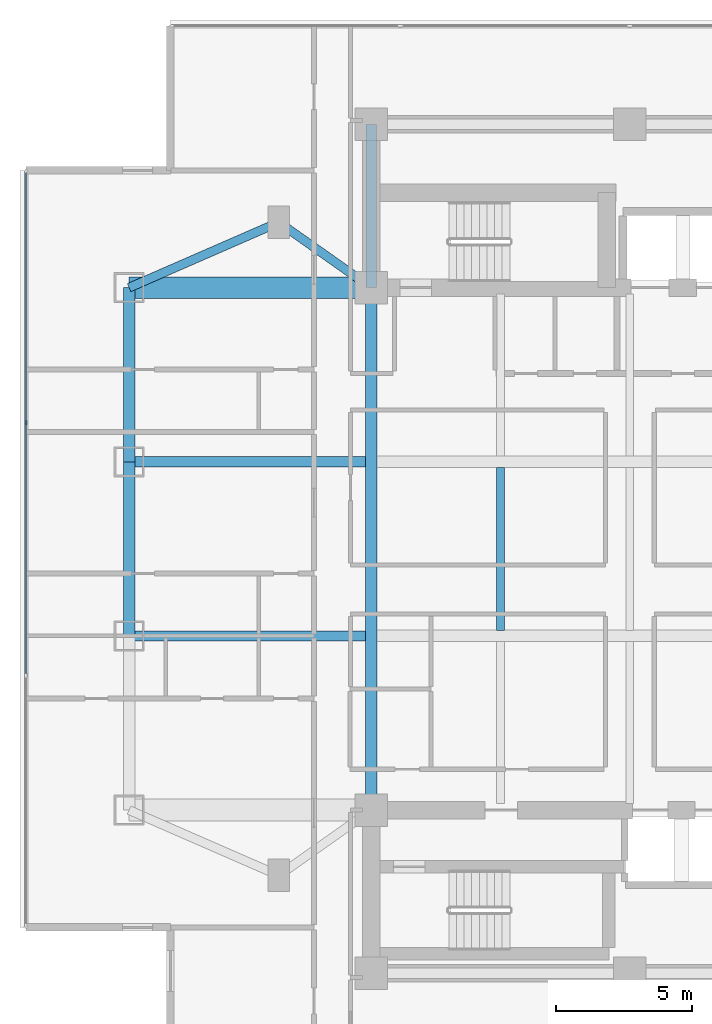
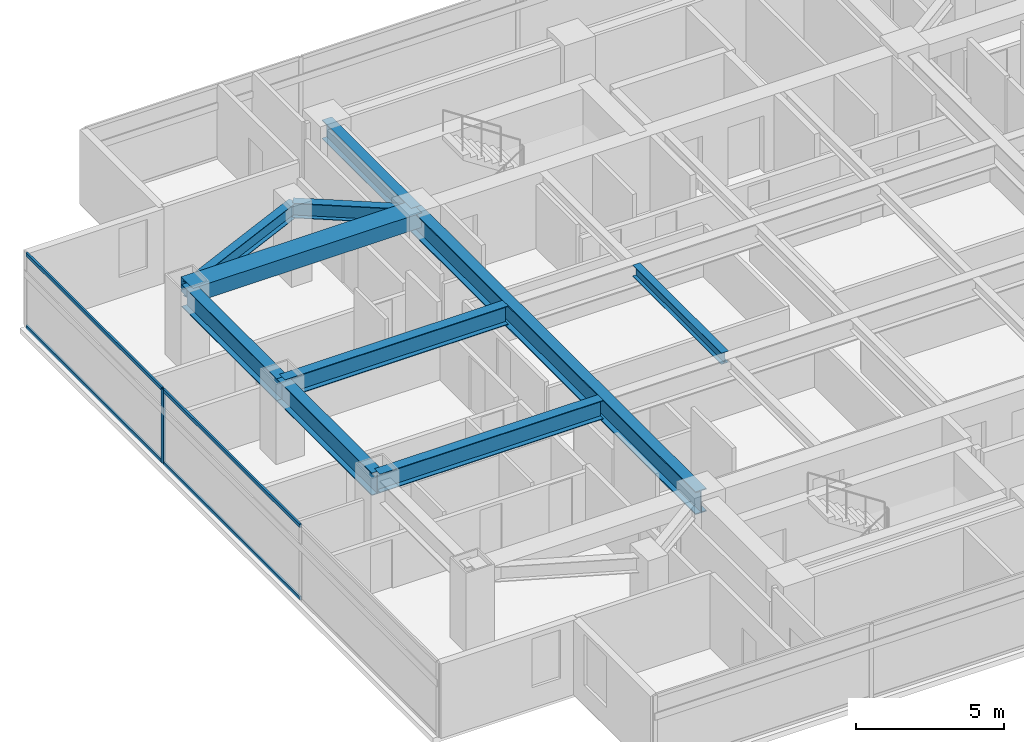
# One storey, part 3 of 25: 10 beams, 5 members, 1 element without a shape of its own.
"""IFC4 building model written with IfcOpenShell, lengths in metres."""

from ifc_helpers import new_model, si_unit, direction, frame, origin, origin_2d, place, context, subcontext, project, spatial, rectangle, i_section, extrude, material, material_profile, profile_set, type_object, element, aggregate, save


model = new_model("IFC4")

# Units and contexts
model_context = context("Model", 3, precision=1e-05, world=origin(), true_north=direction((0.0, 1.0)))
body_context = subcontext(model_context, "Body", "Model", "MODEL_VIEW")
ifc_project = project(units=[si_unit("LENGTHUNIT", "METRE"), si_unit("AREAUNIT", "SQUARE_METRE"), si_unit("VOLUMEUNIT", "CUBIC_METRE"), si_unit("PLANEANGLEUNIT", "RADIAN"), si_unit("MASSUNIT", "GRAM", prefix="KILO")], contexts=[model_context])

# Site, building, storey
site_placement = place(None, origin())
site = spatial("IfcSite", under=ifc_project, at=site_placement, CompositionType="ELEMENT")
building_placement = place(site_placement, origin())
building = spatial("IfcBuilding", under=site, at=building_placement, Name="Mirazonda Arch Towers", CompositionType="ELEMENT")
storey_placement = place(building_placement, frame((0.0, 0.0, 111.5)))
storey = spatial("IfcBuildingStorey", under=building, at=storey_placement, Name="L31", CompositionType="ELEMENT", Elevation=111.5)

# Beams
ifc_material_1 = material(Name="Steel ASTM A992 Grade 50", Category="steel")
ifc_material_profile_1 = material_profile(ifc_material_1, i_section(OverallWidth=0.41796875, OverallDepth=0.927001953125, WebThickness=0.019287109375, FlangeThickness=0.031982421875, at=origin_2d()), Name="W36X231")
ifc_profile_set_1 = profile_set([ifc_material_profile_1], Name="Steel ASTM A992 Grade 50")
beam_type_1 = type_object("IfcBeamType", Name="BM-EXT-W36X231", PredefinedType="USERDEFINED", material=ifc_profile_set_1)
beam_1_placement = place(storey_placement, frame((2.10009765625, 24.800048828125, 2.616455078125), z_axis=(0.0, 1.0, 0.0), x_axis=(-1.0, 0.0, 0.0)))
element("IfcBeam", 1, at=beam_1_placement, inside=storey, type_object=beam_type_1, Name="L31 Floor Beam BM-T1-L31-NS-W-24", ObjectType="GIRDER", PredefinedType="USERDEFINED", context=body_context, shape_type="SweptSolid", body=[
    extrude(i_section(OverallWidth=0.41796875, OverallDepth=0.927001953125, WebThickness=0.019287109375, FlangeThickness=0.031982421875, at=origin_2d()), origin(), (0.0, 0.0, 1.0), 6.39990234375),
])
beam_2_placement = place(storey_placement, frame((2.10009765625, 31.199951171875, 2.616455078125), z_axis=(0.0, 1.0, 0.0), x_axis=(-1.0, 0.0, 0.0)))
element("IfcBeam", 2, at=beam_2_placement, inside=storey, type_object=beam_type_1, Name="L31 Floor Beam BM-T1-L31-NS-W-31", ObjectType="GIRDER", PredefinedType="USERDEFINED", context=body_context, shape_type="SweptSolid", body=[
    extrude(i_section(OverallWidth=0.41796875, OverallDepth=0.927001953125, WebThickness=0.019287109375, FlangeThickness=0.031982421875, at=origin_2d()), origin(), (0.0, 0.0, 1.0), 6.400146484375),
])
ifc_material_profile_2 = material_profile(ifc_material_1, i_section(OverallWidth=0.280029296875, OverallDepth=0.462890625, WebThickness=0.0107421875, FlangeThickness=0.017333984375, at=origin_2d()), Name="W18X76")
ifc_profile_set_2 = profile_set([ifc_material_profile_2], Name="Steel ASTM A992 Grade 50")
beam_type_2 = type_object("IfcBeamType", Name="BM-INT-W18X76", PredefinedType="JOIST", material=ifc_profile_set_2)
beam_3_placement = place(storey_placement, frame((15.75, 25.007568359375, 2.848388671875), z_axis=(0.0, 1.0, 0.0), x_axis=(-1.0, 0.0, 0.0)))
element("IfcBeam", 3, at=beam_3_placement, inside=storey, type_object=beam_type_2, Name="L31 Floor Beam BM-T1-L31-J-157-24", PredefinedType="JOIST", context=body_context, shape_type="SweptSolid", body=[
    extrude(i_section(OverallWidth=0.280029296875, OverallDepth=0.462890625, WebThickness=0.0107421875, FlangeThickness=0.017333984375, at=origin_2d()), origin(), (0.0, 0.0, 1.0), 5.98486328125),
])
ifc_material_profile_3 = material_profile(ifc_material_1, i_section(OverallWidth=0.324951171875, OverallDepth=0.615966796875, WebThickness=0.013916015625, FlangeThickness=0.021484375, at=origin_2d()), Name="W24X117")
ifc_profile_set_3 = profile_set([ifc_material_profile_3], Name="Steel ASTM A992 Grade 50")
beam_type_3 = type_object("IfcBeamType", Name="BM-INT-W24X117", PredefinedType="BEAM", material=ifc_profile_set_3)
beam_4_placement = place(storey_placement, frame((7.60009765625, 40.0, 2.77197265625), z_axis=(0.816971114901, -0.576678591087, 0.0), x_axis=(0.576678591087, 0.816971114901, 0.0)))
element("IfcBeam", 4, at=beam_4_placement, inside=storey, type_object=beam_type_3, Name="L31 Floor Beam BM-T1-L31-PL-NW1", PredefinedType="BEAM", context=body_context, shape_type="SweptSolid", body=[
    extrude(i_section(OverallWidth=0.324951171875, OverallDepth=0.615966796875, WebThickness=0.013916015625, FlangeThickness=0.021484375, at=origin_2d()), origin(), (0.0, 0.0, 1.0), 4.16162109375),
])
beam_5_placement = place(storey_placement, frame((7.60009765625, 40.0, 2.77197265625), z_axis=(-0.916545343703, -0.399930785183, 0.0), x_axis=(0.399930785183, -0.916545343703, 0.0)))
element("IfcBeam", 5, at=beam_5_placement, inside=storey, type_object=beam_type_3, Name="L31 Floor Beam BM-T1-L31-PL-NW2", PredefinedType="BEAM", context=body_context, shape_type="SweptSolid", body=[
    extrude(i_section(OverallWidth=0.324951171875, OverallDepth=0.615966796875, WebThickness=0.013916015625, FlangeThickness=0.021484375, at=origin_2d()), origin(), (0.0, 0.0, 1.0), 6.000732421875),
])
ifc_material_profile_4 = material_profile(ifc_material_1, i_section(OverallWidth=0.381103515625, OverallDepth=0.77294921875, WebThickness=0.0166015625, FlangeThickness=0.027099609375, at=origin_2d()), Name="W30X173")
ifc_profile_set_4 = profile_set([ifc_material_profile_4], Name="Steel ASTM A992 Grade 50")
beam_type_4 = type_object("IfcBeamType", Name="BM-INT-W30X173", PredefinedType="USERDEFINED", material=ifc_profile_set_4)
for number, where, z_axis, x_axis, name in (
    (6, (2.10009765625, 24.800048828125, 2.693603515625), (1.0, 0.0, 0.0), (0.0, 1.0, 0.0), "L31 Floor Beam BM-T1-L31-GW2"),
    (7, (2.10009765625, 31.199951171875, 2.693603515625), (1.0, 0.0, 0.0), (0.0, 1.0, 0.0), "L31 Floor Beam BM-T1-L31-GW3"),
):
    element("IfcBeam", number, at=place(storey_placement, frame(where, z_axis=z_axis, x_axis=x_axis)), inside=storey, type_object=beam_type_4, Name=name, ObjectType="GIRDER", PredefinedType="USERDEFINED", context=body_context, shape_type="SweptSolid", body=[
        extrude(i_section(OverallWidth=0.381103515625, OverallDepth=0.77294921875, WebThickness=0.0166015625, FlangeThickness=0.027099609375, at=origin_2d()), origin(), (0.0, 0.0, 1.0), 8.6884765625),
    ])
beam_6_placement = place(storey_placement, frame((11.0, 37.60009765625, 2.693603515625), z_axis=(0.0, 1.0, 0.0), x_axis=(-1.0, 0.0, 0.0)))
element("IfcBeam", 8, at=beam_6_placement, inside=storey, type_object=beam_type_4, Name="L31 Floor Beam BM-T1-L31-CNW", ObjectType="GIRDER", PredefinedType="USERDEFINED", context=body_context, shape_type="SweptSolid", body=[
    extrude(i_section(OverallWidth=0.381103515625, OverallDepth=0.77294921875, WebThickness=0.0166015625, FlangeThickness=0.027099609375, at=origin_2d()), origin(), (0.0, 0.0, 1.0), 6.0),
])
ifc_material_profile_5 = material_profile(ifc_material_1, i_section(OverallWidth=0.423095703125, OverallDepth=0.947998046875, WebThickness=0.02392578125, FlangeThickness=0.042724609375, at=origin_2d()), Name="W36X302")
ifc_profile_set_5 = profile_set([ifc_material_profile_5], Name="Steel ASTM A992 Grade 50")
beam_type_5 = type_object("IfcBeamType", Name="BM-INT-W36X302", PredefinedType="USERDEFINED", material=ifc_profile_set_5)
beam_7_placement = place(storey_placement, frame((11.0, 18.39990234375, 2.60595703125), z_axis=(0.0, 1.0, 0.0), x_axis=(-1.0, 0.0, 0.0)))
element("IfcBeam", 9, at=beam_7_placement, inside=storey, type_object=beam_type_5, Name="L31 Floor Beam BM-T1-L31-NS-CW-FULL", ObjectType="GIRDER", PredefinedType="USERDEFINED", context=body_context, shape_type="SweptSolid", body=[
    extrude(i_section(OverallWidth=0.423095703125, OverallDepth=0.947998046875, WebThickness=0.02392578125, FlangeThickness=0.042724609375, at=origin_2d()), origin(), (0.0, 0.0, 1.0), 19.2001953125),
])
ifc_material_2 = material(Name="Concrete C60/75", Category="concrete")
ifc_material_profile_6 = material_profile(ifc_material_2, rectangle(XDim=0.800048828125, YDim=0.60009765625, at=origin_2d()), Name="RCCB800x600")
ifc_profile_set_6 = profile_set([ifc_material_profile_6], Name="Concrete C60/75")
beam_type_6 = type_object("IfcBeamType", Name="CB-INT-RCCB800x600", PredefinedType="SPANDREL", material=ifc_profile_set_6)
beam_8_placement = place(storey_placement, frame((2.10009765625, 37.60009765625, 2.780029296875), z_axis=(1.0, 0.0, 0.0), x_axis=(0.0, 1.0, 0.0)))
element("IfcBeam", 10, at=beam_8_placement, inside=storey, type_object=beam_type_6, Name="L31 Floor Beam CBC-T1-L31-NW", PredefinedType="SPANDREL", context=body_context, shape_type="SweptSolid", body=[
    extrude(rectangle(XDim=0.800048828125, YDim=0.60009765625, at=origin_2d()), origin(), (0.0, 0.0, 1.0), 8.89990234375),
])

# Curtain wall, members
ifc_material_3 = material(Name="Anodised Aluminium and Low-E Glass", Category="aluminium")
curtain_wall_type = type_object("IfcCurtainWallType", Name="CW-HTL-UNIT", PredefinedType="NOTDEFINED", material=ifc_material_3)
curtain_wall_placement = place(storey_placement, origin())
curtain_wall = element("IfcCurtainWall", 11, at=curtain_wall_placement, inside=storey, type_object=curtain_wall_type, Name="L31 T1 W Facade CW-L31-T1-W", PredefinedType="NOTDEFINED")
ifc_material_4 = material(Name="Anodised Aluminium Alloy", Category="aluminium")
ifc_material_profile_7 = material_profile(ifc_material_4, rectangle(XDim=0.074951171875, YDim=0.1650390625, at=origin_2d()), Name="ALU-MULL-75x165")
ifc_profile_set_7 = profile_set([ifc_material_profile_7], Name="Anodised Aluminium Alloy")
member_type_1 = type_object("IfcMemberType", Name="MULL-CW-HTL-UNIT", PredefinedType="MULLION", material=ifc_profile_set_7)
member_1_placement = place(storey_placement, frame((-1.68994140625, 32.636962890625, 0.0), z_axis=(0.0, 0.0, 1.0), x_axis=(1.0, 0.0, 0.0)))
member_1 = element("IfcMember", 12, at=member_1_placement, type_object=member_type_1, Name="CW-112 mullion 2", PredefinedType="MULLION", context=body_context, shape_type="SweptSolid", body=[
    extrude(rectangle(XDim=0.074951171875, YDim=0.1650390625, at=origin_2d()), origin(), (0.0, 0.0, 1.0), 3.06005859375),
])
ifc_material_profile_8 = material_profile(ifc_material_4, rectangle(XDim=0.074951171875, YDim=0.14501953125, at=origin_2d()), Name="ALU-TRAN-75x145")
ifc_profile_set_8 = profile_set([ifc_material_profile_8], Name="Anodised Aluminium Alloy")
member_type_2 = type_object("IfcMemberType", Name="TRAN-CW-HTL-UNIT", PredefinedType="USERDEFINED", material=ifc_profile_set_8)
member_2_placement = place(storey_placement, frame((-1.68994140625, 41.8359375, 0.03759765625), z_axis=(0.0, -1.0, 0.0), x_axis=(1.0, 0.0, 0.0)))
member_2 = element("IfcMember", 13, at=member_2_placement, type_object=member_type_2, Name="CW-112 transom 1.1", ObjectType="TRANSOM", PredefinedType="USERDEFINED", context=body_context, shape_type="SweptSolid", body=[
    extrude(rectangle(XDim=0.074951171875, YDim=0.14501953125, at=origin_2d()), origin(), (0.0, 0.0, 1.0), 9.161376953125),
])
member_3_placement = place(storey_placement, frame((-1.68994140625, 41.8359375, 3.0224609375), z_axis=(0.0, -1.0, 0.0), x_axis=(1.0, 0.0, 0.0)))
member_3 = element("IfcMember", 14, at=member_3_placement, type_object=member_type_2, Name="CW-112 transom 1.2", ObjectType="TRANSOM", PredefinedType="USERDEFINED", context=body_context, shape_type="SweptSolid", body=[
    extrude(rectangle(XDim=0.074951171875, YDim=0.14501953125, at=origin_2d()), origin(), (0.0, 0.0, 1.0), 9.161376953125),
])
member_4_placement = place(storey_placement, frame((-1.68994140625, 32.599609375, 0.03759765625), z_axis=(0.0, -1.0, 0.0), x_axis=(1.0, 0.0, 0.0)))
member_4 = element("IfcMember", 15, at=member_4_placement, type_object=member_type_2, Name="CW-112 transom 2.1", ObjectType="TRANSOM", PredefinedType="USERDEFINED", context=body_context, shape_type="SweptSolid", body=[
    extrude(rectangle(XDim=0.074951171875, YDim=0.14501953125, at=origin_2d()), origin(), (0.0, 0.0, 1.0), 9.19921875),
])
member_5_placement = place(storey_placement, frame((-1.68994140625, 32.599609375, 3.0224609375), z_axis=(0.0, -1.0, 0.0), x_axis=(1.0, 0.0, 0.0)))
member_5 = element("IfcMember", 16, at=member_5_placement, type_object=member_type_2, Name="CW-112 transom 2.2", ObjectType="TRANSOM", PredefinedType="USERDEFINED", context=body_context, shape_type="SweptSolid", body=[
    extrude(rectangle(XDim=0.074951171875, YDim=0.14501953125, at=origin_2d()), origin(), (0.0, 0.0, 1.0), 9.19921875),
])
aggregate(curtain_wall, [member_1, member_2, member_3, member_4, member_5])

save(model, "model.ifc")
